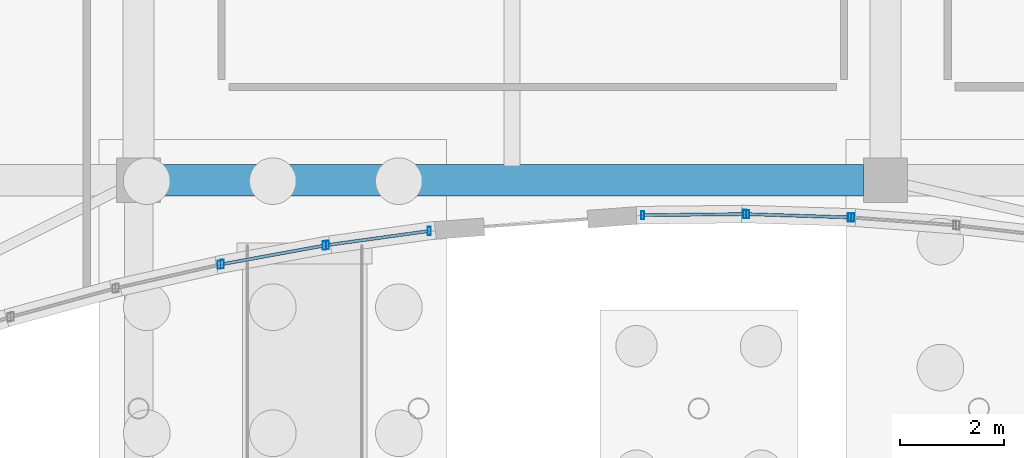
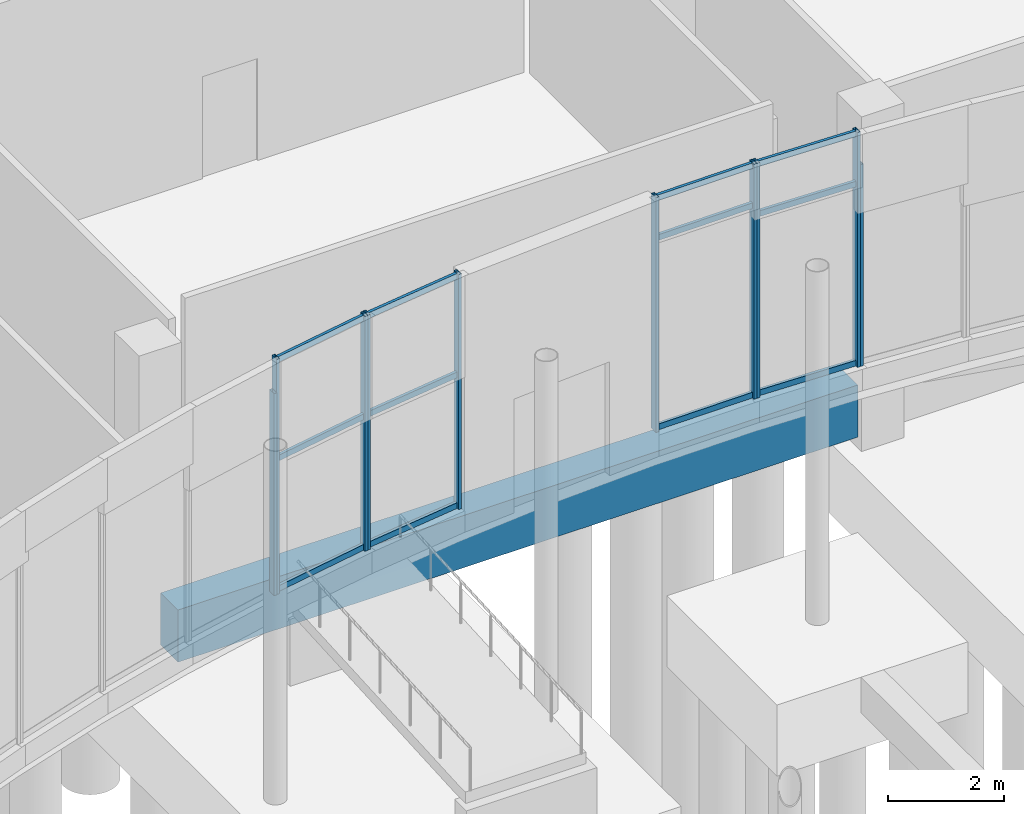
# One storey, part 50 of 192: 22 members, 1 beam, 6 elements without a shape of their own.
"""IFC4 building model written with IfcOpenShell, lengths in metres."""

from ifc_helpers import new_model, si_unit, direction, frame, origin, origin_2d, place, context, subcontext, project, spatial, rectangle, hollow_rectangle, extrude, material, material_profile, profile_set, type_object, element, aggregate, save


model = new_model("IFC4")

# Units and contexts
model_context = context("Model", 3, precision=1e-05, world=origin(), true_north=direction((0.0, 1.0)))
body_context = subcontext(model_context, "Body", "Model", "MODEL_VIEW")
ifc_project = project(units=[si_unit("LENGTHUNIT", "METRE"), si_unit("AREAUNIT", "SQUARE_METRE"), si_unit("VOLUMEUNIT", "CUBIC_METRE"), si_unit("PLANEANGLEUNIT", "RADIAN"), si_unit("MASSUNIT", "GRAM", prefix="KILO")], contexts=[model_context])

# Site, building, storey
site_placement = place(None, origin())
site = spatial("IfcSite", under=ifc_project, at=site_placement, CompositionType="ELEMENT")
building_placement = place(site_placement, origin())
building = spatial("IfcBuilding", under=site, at=building_placement, Name="Cendralis Lancet Convention Centre", CompositionType="ELEMENT")
storey_placement = place(building_placement, origin())
storey = spatial("IfcBuildingStorey", under=building, at=storey_placement, Name="L00", CompositionType="ELEMENT", Elevation=0.0)

# Curtain wall, member
ifc_material_1 = material(Name="Anodised bronze architectural aluminium", Category="aluminium")
curtain_wall_type = type_object("IfcCurtainWallType", Name="ARC-CW-WF01", PredefinedType="USERDEFINED", material=ifc_material_1)
curtain_wall_1_placement = place(storey_placement, origin())
curtain_wall_1 = element("IfcCurtainWall", 1, at=curtain_wall_1_placement, inside=storey, type_object=curtain_wall_type, Name="L00 Curtain Wall CW-WF1 #041", ObjectType="CURTAIN WALL", PredefinedType="USERDEFINED")
ifc_material_profile_1 = material_profile(ifc_material_1, hollow_rectangle(XDim=0.06005859375, YDim=0.159912109375, WallThickness=0.00390625, at=origin_2d()), Name="AL-MULL 60x160x4.0")
ifc_profile_set_1 = profile_set([ifc_material_profile_1], Name="Anodised bronze architectural aluminium")
member_type_1 = type_object("IfcMemberType", Name="ARC-CW-ML01", PredefinedType="MULLION", material=ifc_profile_set_1)
member_1_placement = place(storey_placement, frame((95.15673828125, 12.7705078125, 0.449951171875), z_axis=(0.0, 0.0, 1.0), x_axis=(1.0, 0.0, 0.0)))
member_1 = element("IfcMember", 2, at=member_1_placement, type_object=member_type_1, Name="Mullion CW2-CW-WF1-L00-041-M1", PredefinedType="MULLION", context=body_context, shape_type="SweptSolid", body=[
    extrude(hollow_rectangle(XDim=0.06005859375, YDim=0.159912109375, WallThickness=0.00390625, at=origin_2d()), origin(), (0.0, 0.0, 1.0), 4.255126953125),
])
aggregate(curtain_wall_1, [member_1])

# Curtain wall, members
curtain_wall_2_placement = place(storey_placement, origin())
curtain_wall_2 = element("IfcCurtainWall", 3, at=curtain_wall_2_placement, inside=storey, type_object=curtain_wall_type, Name="L00 Curtain Wall CW-WF1 #042", ObjectType="CURTAIN WALL", PredefinedType="USERDEFINED")
member_2_placement = place(storey_placement, frame((95.215576171875, 12.782470703125, 0.449951171875), z_axis=(0.0, 0.0, 1.0), x_axis=(1.0, 0.0, 0.0)))
member_2 = element("IfcMember", 4, at=member_2_placement, type_object=member_type_1, Name="Mullion CW2-CW-WF1-L00-042-M0", PredefinedType="MULLION", context=body_context, shape_type="SweptSolid", body=[
    extrude(hollow_rectangle(XDim=0.06005859375, YDim=0.159912109375, WallThickness=0.00390625, at=origin_2d()), origin(), (0.0, 0.0, 1.0), 4.949951171875),
])
member_3_placement = place(storey_placement, frame((97.181396484375, 13.140625, 0.449951171875), z_axis=(0.0, 0.0, 1.0), x_axis=(1.0, 0.0, 0.0)))
member_3 = element("IfcMember", 5, at=member_3_placement, type_object=member_type_1, Name="Mullion CW2-CW-WF1-L00-042-M1", PredefinedType="MULLION", context=body_context, shape_type="SweptSolid", body=[
    extrude(hollow_rectangle(XDim=0.06005859375, YDim=0.159912109375, WallThickness=0.00390625, at=origin_2d()), origin(), (0.0, 0.0, 1.0), 4.949951171875),
])

curtain_wall_3_placement = place(storey_placement, origin())
curtain_wall_3 = element("IfcCurtainWall", 6, at=curtain_wall_3_placement, inside=storey, type_object=curtain_wall_type, Name="L00 Curtain Wall CW-WF1 #043", ObjectType="CURTAIN WALL", PredefinedType="USERDEFINED")
member_4_placement = place(storey_placement, frame((97.24072265625, 13.150146484375, 0.449951171875), z_axis=(0.0, 0.0, 1.0), x_axis=(1.0, 0.0, 0.0)))
member_4 = element("IfcMember", 7, at=member_4_placement, type_object=member_type_1, Name="Mullion CW2-CW-WF1-L00-043-M0", PredefinedType="MULLION", context=body_context, shape_type="SweptSolid", body=[
    extrude(hollow_rectangle(XDim=0.06005859375, YDim=0.159912109375, WallThickness=0.00390625, at=origin_2d()), origin(), (0.0, 0.0, 1.0), 4.949951171875),
])
member_5_placement = place(storey_placement, frame((99.206298828125, 13.421875, 0.449951171875), z_axis=(0.0, 0.0, 1.0), x_axis=(1.0, 0.0, 0.0)))
member_5 = element("IfcMember", 8, at=member_5_placement, type_object=member_type_1, Name="Mullion CW2-CW-WF1-L00-043-M1", PredefinedType="MULLION", context=body_context, shape_type="SweptSolid", body=[
    extrude(hollow_rectangle(XDim=0.06005859375, YDim=0.159912109375, WallThickness=0.00390625, at=origin_2d()), origin(), (0.0, 0.0, 1.0), 4.949951171875),
])

curtain_wall_4_placement = place(storey_placement, origin())
curtain_wall_4 = element("IfcCurtainWall", 9, at=curtain_wall_4_placement, inside=storey, type_object=curtain_wall_type, Name="L00 Curtain Wall CW-WF1 #044", ObjectType="CURTAIN WALL", PredefinedType="USERDEFINED")
member_6_placement = place(storey_placement, frame((103.31689453125, 13.726318359375, 0.449951171875), z_axis=(0.0, 0.0, 1.0), x_axis=(1.0, 0.0, 0.0)))
member_6 = element("IfcMember", 10, at=member_6_placement, type_object=member_type_1, Name="Mullion CW2-CW-WF1-L00-044-M0", PredefinedType="MULLION", context=body_context, shape_type="SweptSolid", body=[
    extrude(hollow_rectangle(XDim=0.06005859375, YDim=0.159912109375, WallThickness=0.00390625, at=origin_2d()), origin(), (0.0, 0.0, 1.0), 4.949951171875),
])
member_7_placement = place(storey_placement, frame((105.281982421875, 13.74658203125, 0.449951171875), z_axis=(0.0, 0.0, 1.0), x_axis=(1.0, 0.0, 0.0)))
member_7 = element("IfcMember", 11, at=member_7_placement, type_object=member_type_1, Name="Mullion CW2-CW-WF1-L00-044-M1", PredefinedType="MULLION", context=body_context, shape_type="SweptSolid", body=[
    extrude(hollow_rectangle(XDim=0.06005859375, YDim=0.159912109375, WallThickness=0.00390625, at=origin_2d()), origin(), (0.0, 0.0, 1.0), 4.949951171875),
])

curtain_wall_5_placement = place(storey_placement, origin())
curtain_wall_5 = element("IfcCurtainWall", 12, at=curtain_wall_5_placement, inside=storey, type_object=curtain_wall_type, Name="L00 Curtain Wall CW-WF1 #045", ObjectType="CURTAIN WALL", PredefinedType="USERDEFINED")
member_8_placement = place(storey_placement, frame((105.342041015625, 13.74609375, 0.449951171875), z_axis=(0.0, 0.0, 1.0), x_axis=(1.0, 0.0, 0.0)))
member_8 = element("IfcMember", 13, at=member_8_placement, type_object=member_type_1, Name="Mullion CW2-CW-WF1-L00-045-M0", PredefinedType="MULLION", context=body_context, shape_type="SweptSolid", body=[
    extrude(hollow_rectangle(XDim=0.06005859375, YDim=0.159912109375, WallThickness=0.00390625, at=origin_2d()), origin(), (0.0, 0.0, 1.0), 4.949951171875),
])
member_9_placement = place(storey_placement, frame((107.306884765625, 13.683837890625, 0.449951171875), z_axis=(0.0, 0.0, 1.0), x_axis=(1.0, 0.0, 0.0)))
member_9 = element("IfcMember", 14, at=member_9_placement, type_object=member_type_1, Name="Mullion CW2-CW-WF1-L00-045-M1", PredefinedType="MULLION", context=body_context, shape_type="SweptSolid", body=[
    extrude(hollow_rectangle(XDim=0.06005859375, YDim=0.159912109375, WallThickness=0.00390625, at=origin_2d()), origin(), (0.0, 0.0, 1.0), 4.949951171875),
])

# Curtain wall, member
curtain_wall_6_placement = place(storey_placement, origin())
curtain_wall_6 = element("IfcCurtainWall", 15, at=curtain_wall_6_placement, inside=storey, type_object=curtain_wall_type, Name="L00 Curtain Wall CW-WF1 #046", ObjectType="CURTAIN WALL", PredefinedType="USERDEFINED")
member_10_placement = place(storey_placement, frame((107.366943359375, 13.680908203125, 0.449951171875), z_axis=(0.0, 0.0, 1.0), x_axis=(1.0, 0.0, 0.0)))
member_10 = element("IfcMember", 16, at=member_10_placement, type_object=member_type_1, Name="Mullion CW2-CW-WF1-L00-046-M0", PredefinedType="MULLION", context=body_context, shape_type="SweptSolid", body=[
    extrude(hollow_rectangle(XDim=0.06005859375, YDim=0.159912109375, WallThickness=0.00390625, at=origin_2d()), origin(), (0.0, 0.0, 1.0), 4.255126953125),
])
aggregate(curtain_wall_6, [member_10])

# Member
ifc_material_profile_2 = material_profile(ifc_material_1, hollow_rectangle(XDim=0.06005859375, YDim=0.1201171875, WallThickness=0.00390625, at=origin_2d()), Name="AL-TRAN 60x120x4.0")
ifc_profile_set_2 = profile_set([ifc_material_profile_2], Name="Anodised bronze architectural aluminium")
member_type_2 = type_object("IfcMemberType", Name="ARC-CW-TR01", PredefinedType="USERDEFINED", material=ifc_profile_set_2)
member_11_placement = place(storey_placement, frame((95.2451171875, 12.787841796875, 0.510009765625), z_axis=(0.983807378146, 0.179229023057, 0.0), x_axis=(-0.179229023057, 0.983807378146, 0.0)))
member_11 = element("IfcMember", 17, at=member_11_placement, type_object=member_type_2, Name="Transom CW2-CW-WF1-L00-042-T0BOT", ObjectType="TRANSOM", PredefinedType="USERDEFINED", context=body_context, shape_type="SweptSolid", body=[
    extrude(hollow_rectangle(XDim=0.06005859375, YDim=0.1201171875, WallThickness=0.00390625, at=origin_2d()), origin(), (0.0, 0.0, 1.0), 1.9384765625),
])

member_12_placement = place(storey_placement, frame((95.2451171875, 12.787841796875, 3.260009765625), z_axis=(0.983807378146, 0.179229023057, 0.0), x_axis=(-0.179229023057, 0.983807378146, 0.0)))
member_12 = element("IfcMember", 18, at=member_12_placement, type_object=member_type_2, Name="Transom CW2-CW-WF1-L00-042-T0MID", ObjectType="TRANSOM", PredefinedType="USERDEFINED", context=body_context, shape_type="SweptSolid", body=[
    extrude(hollow_rectangle(XDim=0.06005859375, YDim=0.1201171875, WallThickness=0.00390625, at=origin_2d()), origin(), (0.0, 0.0, 1.0), 1.9384765625),
])

member_13_placement = place(storey_placement, frame((95.2451171875, 12.787841796875, 5.340087890625), z_axis=(0.983807378146, 0.179229023057, 0.0), x_axis=(-0.179229023057, 0.983807378146, 0.0)))
member_13 = element("IfcMember", 19, at=member_13_placement, type_object=member_type_2, Name="Transom CW2-CW-WF1-L00-042-T0TOP", ObjectType="TRANSOM", PredefinedType="USERDEFINED", context=body_context, shape_type="SweptSolid", body=[
    extrude(hollow_rectangle(XDim=0.06005859375, YDim=0.1201171875, WallThickness=0.00390625, at=origin_2d()), origin(), (0.0, 0.0, 1.0), 1.9384765625),
])

aggregate(curtain_wall_2, [member_2, member_3, member_11, member_12, member_13])

member_14_placement = place(storey_placement, frame((97.2705078125, 13.154296875, 0.510009765625), z_axis=(0.990583782183, 0.13690789048, 0.0), x_axis=(-0.13690789048, 0.990583782183, 0.0)))
member_14 = element("IfcMember", 20, at=member_14_placement, type_object=member_type_2, Name="Transom CW2-CW-WF1-L00-043-T0BOT", ObjectType="TRANSOM", PredefinedType="USERDEFINED", context=body_context, shape_type="SweptSolid", body=[
    extrude(hollow_rectangle(XDim=0.06005859375, YDim=0.1201171875, WallThickness=0.00390625, at=origin_2d()), origin(), (0.0, 0.0, 1.0), 1.924072265625),
])

member_15_placement = place(storey_placement, frame((97.2705078125, 13.154296875, 3.262939453125), z_axis=(0.990583782183, 0.13690789048, 0.0), x_axis=(-0.13690789048, 0.990583782183, 0.0)))
member_15 = element("IfcMember", 21, at=member_15_placement, type_object=member_type_2, Name="Transom CW2-CW-WF1-L00-043-T0MID", ObjectType="TRANSOM", PredefinedType="USERDEFINED", context=body_context, shape_type="SweptSolid", body=[
    extrude(hollow_rectangle(XDim=0.06005859375, YDim=0.1201171875, WallThickness=0.00390625, at=origin_2d()), origin(), (0.0, 0.0, 1.0), 1.924072265625),
])

member_16_placement = place(storey_placement, frame((97.2705078125, 13.154296875, 5.340087890625), z_axis=(0.990583782183, 0.13690789048, 0.0), x_axis=(-0.13690789048, 0.990583782183, 0.0)))
member_16 = element("IfcMember", 22, at=member_16_placement, type_object=member_type_2, Name="Transom CW2-CW-WF1-L00-043-T0TOP", ObjectType="TRANSOM", PredefinedType="USERDEFINED", context=body_context, shape_type="SweptSolid", body=[
    extrude(hollow_rectangle(XDim=0.06005859375, YDim=0.1201171875, WallThickness=0.00390625, at=origin_2d()), origin(), (0.0, 0.0, 1.0), 1.924072265625),
])

aggregate(curtain_wall_3, [member_4, member_5, member_14, member_15, member_16])

member_17_placement = place(storey_placement, frame((103.346923828125, 13.7265625, 0.510009765625), z_axis=(0.999946125689, 0.010380063588, 0.0), x_axis=(-0.010380063588, 0.999946125689, 0.0)))
member_17 = element("IfcMember", 23, at=member_17_placement, type_object=member_type_2, Name="Transom CW2-CW-WF1-L00-044-T0BOT", ObjectType="TRANSOM", PredefinedType="USERDEFINED", context=body_context, shape_type="SweptSolid", body=[
    extrude(hollow_rectangle(XDim=0.06005859375, YDim=0.1201171875, WallThickness=0.00390625, at=origin_2d()), origin(), (0.0, 0.0, 1.0), 1.905029296875),
])

member_18_placement = place(storey_placement, frame((103.346923828125, 13.7265625, 4.5009765625), z_axis=(0.999946125689, 0.010380063588, 0.0), x_axis=(-0.010380063588, 0.999946125689, 0.0)))
member_18 = element("IfcMember", 24, at=member_18_placement, type_object=member_type_2, Name="Transom CW2-CW-WF1-L00-044-T0MID", ObjectType="TRANSOM", PredefinedType="USERDEFINED", context=body_context, shape_type="SweptSolid", body=[
    extrude(hollow_rectangle(XDim=0.06005859375, YDim=0.1201171875, WallThickness=0.00390625, at=origin_2d()), origin(), (0.0, 0.0, 1.0), 1.905029296875),
])

member_19_placement = place(storey_placement, frame((103.346923828125, 13.7265625, 5.340087890625), z_axis=(0.999946125689, 0.010380063588, 0.0), x_axis=(-0.010380063588, 0.999946125689, 0.0)))
member_19 = element("IfcMember", 25, at=member_19_placement, type_object=member_type_2, Name="Transom CW2-CW-WF1-L00-044-T0TOP", ObjectType="TRANSOM", PredefinedType="USERDEFINED", context=body_context, shape_type="SweptSolid", body=[
    extrude(hollow_rectangle(XDim=0.06005859375, YDim=0.1201171875, WallThickness=0.00390625, at=origin_2d()), origin(), (0.0, 0.0, 1.0), 1.905029296875),
])

aggregate(curtain_wall_4, [member_6, member_7, member_17, member_18, member_19])

member_20_placement = place(storey_placement, frame((105.3720703125, 13.7451171875, 0.510009765625), z_axis=(0.999499372765, -0.031638644761, 0.0), x_axis=(0.031638644761, 0.999499372765, 0.0)))
member_20 = element("IfcMember", 26, at=member_20_placement, type_object=member_type_2, Name="Transom CW2-CW-WF1-L00-045-T0BOT", ObjectType="TRANSOM", PredefinedType="USERDEFINED", context=body_context, shape_type="SweptSolid", body=[
    extrude(hollow_rectangle(XDim=0.06005859375, YDim=0.1201171875, WallThickness=0.00390625, at=origin_2d()), origin(), (0.0, 0.0, 1.0), 1.906005859375),
])

member_21_placement = place(storey_placement, frame((105.3720703125, 13.7451171875, 4.283935546875), z_axis=(0.999499372765, -0.031638644761, 0.0), x_axis=(0.031638644761, 0.999499372765, 0.0)))
member_21 = element("IfcMember", 27, at=member_21_placement, type_object=member_type_2, Name="Transom CW2-CW-WF1-L00-045-T0MID", ObjectType="TRANSOM", PredefinedType="USERDEFINED", context=body_context, shape_type="SweptSolid", body=[
    extrude(hollow_rectangle(XDim=0.06005859375, YDim=0.1201171875, WallThickness=0.00390625, at=origin_2d()), origin(), (0.0, 0.0, 1.0), 1.906005859375),
])

member_22_placement = place(storey_placement, frame((105.3720703125, 13.7451171875, 5.340087890625), z_axis=(0.999499372765, -0.031638644761, 0.0), x_axis=(0.031638644761, 0.999499372765, 0.0)))
member_22 = element("IfcMember", 28, at=member_22_placement, type_object=member_type_2, Name="Transom CW2-CW-WF1-L00-045-T0TOP", ObjectType="TRANSOM", PredefinedType="USERDEFINED", context=body_context, shape_type="SweptSolid", body=[
    extrude(hollow_rectangle(XDim=0.06005859375, YDim=0.1201171875, WallThickness=0.00390625, at=origin_2d()), origin(), (0.0, 0.0, 1.0), 1.906005859375),
])

aggregate(curtain_wall_5, [member_8, member_9, member_20, member_21, member_22])

# Beam
ifc_material_2 = material(Name="Concrete G40 (C40/50)", Category="concrete")
ifc_material_profile_3 = material_profile(ifc_material_2, rectangle(XDim=0.60009765625, YDim=1.10009765625, at=origin_2d()), Name="RCB 600x1100")
ifc_profile_set_3 = profile_set([ifc_material_profile_3], Name="Concrete G40 (C40/50)")
beam_type = type_object("IfcBeamType", Name="STR-BM-BG02", PredefinedType="BEAM", material=ifc_profile_set_3)
beam_placement = place(storey_placement, frame((94.02490234375, 14.39990234375, -0.8701171875), z_axis=(1.0, 0.0, 0.0), x_axis=(0.0, 1.0, 0.0)))
element("IfcBeam", 29, at=beam_placement, inside=storey, type_object=beam_type, Name="L00 Beam BG02 #0669", PredefinedType="BEAM", context=body_context, shape_type="SweptSolid", body=[
    extrude(rectangle(XDim=0.60009765625, YDim=1.10009765625, at=origin_2d()), origin(), (0.0, 0.0, 1.0), 13.550048828125),
])

save(model, "model.ifc")
